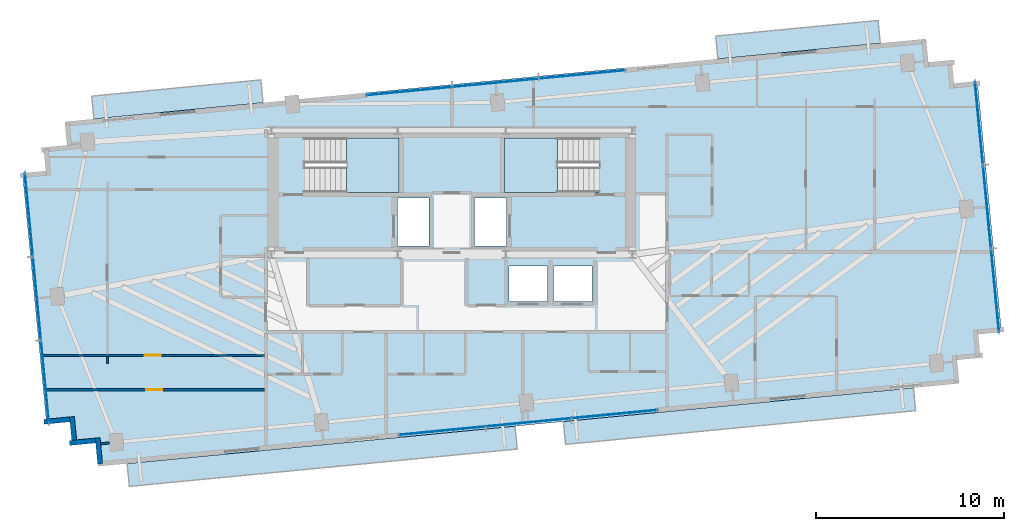
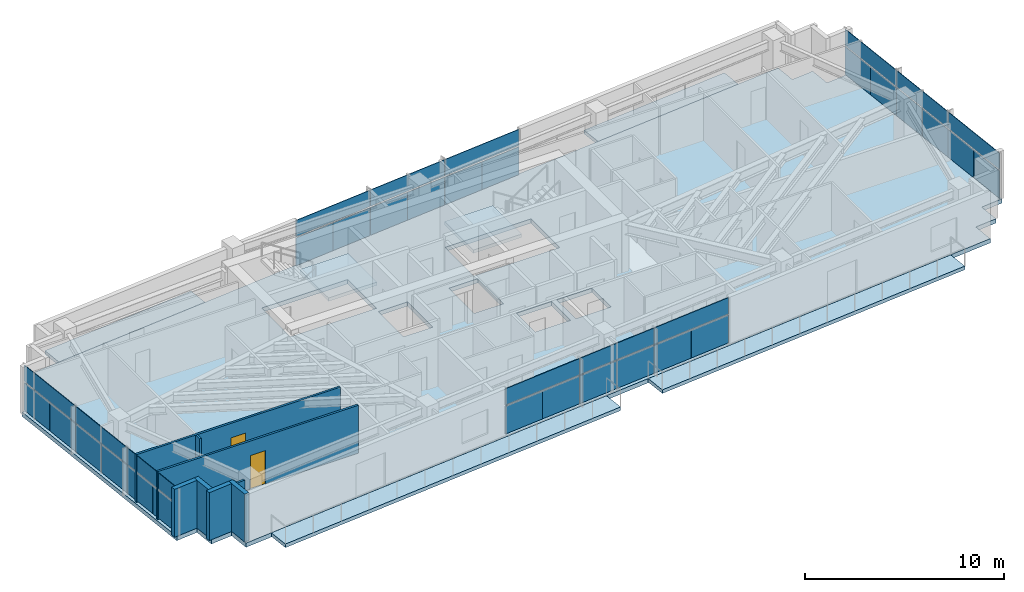
# One storey, part 12 of 18: 36 plates, 8 walls, 7 slabs, 2 doors, 2 openings, 6 elements without a shape of their own.
"""IFC4 building model written with IfcOpenShell, lengths in metres."""

from ifc_helpers import new_model, si_unit, direction, frame, frame_2d, origin, origin_2d, place, context, subcontext, project, spatial, polyline, rectangle, outline, extrude, source, transform, mapped, material, layer, layer_set, type_object, type_shapes, element, fill, aggregate, save


model = new_model("IFC4")

# Units and contexts
model_context = context("Model", 3, precision=1e-05, world=origin(), true_north=direction((0.0, 1.0)))
body_context = subcontext(model_context, "Body", "Model", "MODEL_VIEW")
ifc_project = project(units=[si_unit("LENGTHUNIT", "METRE"), si_unit("AREAUNIT", "SQUARE_METRE"), si_unit("VOLUMEUNIT", "CUBIC_METRE"), si_unit("PLANEANGLEUNIT", "RADIAN"), si_unit("MASSUNIT", "GRAM", prefix="KILO")], contexts=[model_context])

# Site, building, storey
site_placement = place(None, origin())
site = spatial("IfcSite", under=ifc_project, at=site_placement, CompositionType="ELEMENT")
building_placement = place(site_placement, origin())
building = spatial("IfcBuilding", under=site, at=building_placement, Name="Astriad Promenade Condominiums", CompositionType="ELEMENT")
storey_placement = place(building_placement, frame((0.0, 0.0, 189.0)))
storey = spatial("IfcBuildingStorey", under=building, at=storey_placement, Name="L54", CompositionType="ELEMENT", Elevation=189.0)

# Slab
ifc_material_1 = material(Name="Concrete C50/60", Category="concrete")
ifc_layer_1 = layer(ifc_material_1, 0.260009765625)
ifc_layer_set_1 = layer_set([ifc_layer_1], Name="Concrete C50/60")
slab_type_1 = type_object("IfcSlabType", Name="CONCRETE TOWER FLOOR SLAB 260", PredefinedType="FLOOR", material=ifc_layer_set_1)
slab_1_placement = place(storey_placement, frame((0.0, 0.0, -0.260009765625)))
element("IfcSlab", 1, at=slab_1_placement, inside=storey, type_object=slab_type_1, Name="Structural Floor Slab (L54)", PredefinedType="FLOOR", context=body_context, shape_type="SweptSolid", body=[
    extrude(outline(polyline([(17.187744140625, 6.137939453125), (62.975830078125, 10.546875), (62.856201171875, 11.791015625), (64.100341796875, 11.910888671875), (63.98046875, 13.155029296875), (65.224853515625, 13.27490234375), (63.9404296875, 26.61328125), (62.6962890625, 26.493408203125), (62.576416015625, 27.73779296875), (61.33203125, 27.617919921875), (61.21240234375, 28.862060546875), (15.424072265625, 24.453125), (15.5439453125, 23.208984375), (14.2998046875, 23.089111328125), (14.41943359375, 21.844970703125), (13.17529296875, 21.72509765625), (14.459716796875, 8.38671875), (15.703857421875, 8.506591796875), (15.823486328125, 7.26220703125), (17.06787109375, 7.382080078125), (17.187744140625, 6.137939453125)]), holes=[polyline([(28.175048828125, 20.699951171875), (33.175048828125, 20.699951171875), (33.175048828125, 23.60009765625), (28.175048828125, 23.60009765625), (28.175048828125, 20.699951171875)]), polyline([(38.824951171875, 20.699951171875), (43.824951171875, 20.699951171875), (43.824951171875, 23.60009765625), (38.824951171875, 23.60009765625), (38.824951171875, 20.699951171875)]), polyline([(33.10009765625, 17.85009765625), (34.800048828125, 17.85009765625), (34.800048828125, 20.39990234375), (33.10009765625, 20.39990234375), (33.10009765625, 17.85009765625)]), polyline([(37.199951171875, 17.85009765625), (38.89990234375, 17.85009765625), (38.89990234375, 20.39990234375), (37.199951171875, 20.39990234375), (37.199951171875, 17.85009765625)]), polyline([(39.050048828125, 14.89990234375), (41.10009765625, 14.89990234375), (41.10009765625, 16.800048828125), (39.050048828125, 16.800048828125), (39.050048828125, 14.89990234375)]), polyline([(41.39990234375, 14.89990234375), (43.449951171875, 14.89990234375), (43.449951171875, 16.800048828125), (41.39990234375, 16.800048828125), (41.39990234375, 14.89990234375)])]), origin(), (0.0, 0.0, 1.0), 0.260009765625),
])

# Stair, slab
stair_type = type_object("IfcStairType", Name="STR-CORE-1350", PredefinedType="HALF_TURN_STAIR", material=ifc_material_1)
stair_1_placement = place(storey_placement, origin())
stair_1 = element("IfcStair", 2, at=stair_1_placement, inside=storey, type_object=stair_type, Name="L54 Enclosed Core Exit Stair ST-1", PredefinedType="HALF_TURN_STAIR")
ifc_layer_2 = layer(ifc_material_1, 0.219970703125)
ifc_layer_set_2 = layer_set([ifc_layer_2], Name="Concrete C50/60")
slab_type_2 = type_object("IfcSlabType", Name="SLB-LANDING-220", PredefinedType="LANDING", material=ifc_layer_set_2)
slab_2_placement = place(storey_placement, frame((0.0, 0.0, 1.39990234375)))
slab_2 = element("IfcSlab", 3, at=slab_2_placement, type_object=slab_type_2, Name="ST-1 landing 1", PredefinedType="LANDING", context=body_context, shape_type="SweptSolid", body=[
    extrude(outline(polyline([(30.389892578125, 20.699951171875), (33.199951171875, 20.699951171875), (33.199951171875, 23.60009765625), (30.389892578125, 23.60009765625), (30.389892578125, 20.699951171875)])), origin(), (0.0, 0.0, 1.0), 0.2001953125),
])
aggregate(stair_1, [slab_2])

stair_2_placement = place(storey_placement, origin())
stair_2 = element("IfcStair", 4, at=stair_2_placement, inside=storey, type_object=stair_type, Name="L54 Enclosed Core Exit Stair ST-2", PredefinedType="HALF_TURN_STAIR")
slab_3_placement = place(storey_placement, frame((0.0, 0.0, 1.39990234375)))
slab_3 = element("IfcSlab", 5, at=slab_3_placement, type_object=slab_type_2, Name="ST-2 landing 1", PredefinedType="LANDING", context=body_context, shape_type="SweptSolid", body=[
    extrude(outline(polyline([(41.610107421875, 23.60009765625), (38.800048828125, 23.60009765625), (38.800048828125, 20.699951171875), (41.610107421875, 20.699951171875), (41.610107421875, 23.60009765625)])), origin(), (0.0, 0.0, 1.0), 0.2001953125),
])
aggregate(stair_2, [slab_3])

# Slabs
ifc_material_2 = material(Name="Precast concrete C50/60", Category="concrete")
ifc_layer_3 = layer(ifc_material_2, 0.219970703125)
ifc_layer_set_3 = layer_set([ifc_layer_3], Name="Precast concrete C50/60")
slab_type_3 = type_object("IfcSlabType", Name="WHITE PRECAST CONCRETE WAVE BALCONY SLAB 220", PredefinedType="FLOOR", material=ifc_layer_set_3)
slab_4_placement = place(storey_placement, frame((0.0, 0.0, -0.219970703125)))
element("IfcSlab", 6, at=slab_4_placement, inside=storey, type_object=slab_type_3, Name="White Precast Wave Balcony Slab BAL-L54-SW", PredefinedType="FLOOR", context=body_context, shape_type="SweptSolid", body=[
    extrude(outline(polyline([(39.47998046875, 7.058837890625), (18.857421875, 5.072998046875), (18.74072265625, 6.285400390625), (39.36328125, 8.271240234375), (39.47998046875, 7.058837890625)])), origin(), (0.0, 0.0, 1.0), 0.219970703125),
])
slab_5_placement = place(storey_placement, frame((0.0, 0.0, -0.219970703125)))
element("IfcSlab", 7, at=slab_5_placement, inside=storey, type_object=slab_type_3, Name="White Precast Wave Balcony Slab BAL-L54-SE", PredefinedType="FLOOR", context=body_context, shape_type="SweptSolid", body=[
    extrude(outline(polyline([(60.656982421875, 9.097900390625), (42.046142578125, 7.305908203125), (41.929443359375, 8.518310546875), (60.540283203125, 10.310302734375), (60.656982421875, 9.097900390625)])), origin(), (0.0, 0.0, 1.0), 0.219970703125),
])
slab_6_placement = place(storey_placement, frame((0.0, 0.0, -0.219970703125)))
element("IfcSlab", 8, at=slab_6_placement, inside=storey, type_object=slab_type_3, Name="White Precast Wave Balcony Slab BAL-L54-NW", PredefinedType="FLOOR", context=body_context, shape_type="SweptSolid", body=[
    extrude(outline(polyline([(16.860107421875, 25.817138671875), (25.848388671875, 26.6826171875), (25.965087890625, 25.47021484375), (16.976806640625, 24.604736328125), (16.860107421875, 25.817138671875)])), origin(), (0.0, 0.0, 1.0), 0.219970703125),
])
slab_7_placement = place(storey_placement, frame((0.0, 0.0, -0.219970703125)))
element("IfcSlab", 9, at=slab_7_placement, inside=storey, type_object=slab_type_3, Name="White Precast Wave Balcony Slab BAL-L54-NE", PredefinedType="FLOOR", context=body_context, shape_type="SweptSolid", body=[
    extrude(outline(polyline([(50.1435546875, 27.79638671875), (58.776611328125, 28.627685546875), (58.65966796875, 29.841796875), (50.026611328125, 29.0107421875), (50.1435546875, 27.79638671875)])), origin(), (0.0, 0.0, 1.0), 0.219970703125),
])

# Curtain wall, plates
ifc_material_3 = material(Name="Anodised aluminium Black Dark Glass Unitised", Category="aluminium")
curtain_wall_type = type_object("IfcCurtainWallType", Name="CW-B34-DARK", PredefinedType="USERDEFINED", material=ifc_material_3)
curtain_wall_1_placement = place(storey_placement, origin())
curtain_wall_1 = element("IfcCurtainWall", 10, at=curtain_wall_1_placement, inside=storey, type_object=curtain_wall_type, Name="CW-L54-W", ObjectType="UNITISED_CURTAIN_WALL", PredefinedType="USERDEFINED")
ifc_material_4 = material(Name="Dark Tinted Low-E Laminated Glass", Category="glass")
ifc_layer_4 = layer(ifc_material_4, 0.035888671875)
ifc_layer_set_4 = layer_set([ifc_layer_4], Name="Dark Tinted Low-E Laminated Glass")
plate_type = type_object("IfcPlateType", Name="PNL-DARK-GLASS-36", PredefinedType="CURTAIN_PANEL", material=ifc_layer_set_4)
shared_shape_1 = source(origin(), body_context, "Body", "SweptSolid", [
    extrude(rectangle(XDim=2.22119140625, YDim=0.035888671875, at=origin_2d()), origin(), (0.0, 0.0, 1.0), 1.702880859375),
])
plate_1_placement = place(storey_placement, frame((14.48193359375, 9.5107421875, 0.080078125), z_axis=(0.0, 0.0, 1.0), x_axis=(-0.09584575252, 0.995396198367, 0.0)))
plate_1 = element("IfcPlate", 11, at=plate_1_placement, type_object=plate_type, Name="CW-L54-W-PNL-00-VL", PredefinedType="CURTAIN_PANEL", context=body_context, shape_type="MappedRepresentation", body=[
    mapped(shared_shape_1, transform((0.0, 0.0, 0.0), scale=1.0)),
])
plate_2_placement = place(storey_placement, frame((14.267822265625, 11.73388671875, 0.080078125), z_axis=(0.0, 0.0, 1.0), x_axis=(-0.09584575252, 0.995396198367, 0.0)))
plate_2 = element("IfcPlate", 12, at=plate_2_placement, type_object=plate_type, Name="CW-L54-W-PNL-00-VR", PredefinedType="CURTAIN_PANEL", context=body_context, shape_type="MappedRepresentation", body=[
    mapped(shared_shape_1, transform((0.0, 0.0, 0.0), scale=1.0)),
])
plate_3_placement = place(storey_placement, frame((14.053955078125, 13.956787109375, 0.080078125), z_axis=(0.0, 0.0, 1.0), x_axis=(-0.09584575252, 0.995396198367, 0.0)))
plate_3 = element("IfcPlate", 13, at=plate_3_placement, type_object=plate_type, Name="CW-L54-W-PNL-01-VL", PredefinedType="CURTAIN_PANEL", context=body_context, shape_type="MappedRepresentation", body=[
    mapped(shared_shape_1, transform((0.0, 0.0, 0.0), scale=1.0)),
])
plate_4_placement = place(storey_placement, frame((13.839599609375, 16.179931640625, 0.080078125), z_axis=(0.0, 0.0, 1.0), x_axis=(-0.09584575252, 0.995396198367, 0.0)))
plate_4 = element("IfcPlate", 14, at=plate_4_placement, type_object=plate_type, Name="CW-L54-W-PNL-01-VR", PredefinedType="CURTAIN_PANEL", context=body_context, shape_type="MappedRepresentation", body=[
    mapped(shared_shape_1, transform((0.0, 0.0, 0.0), scale=1.0)),
])
plate_5_placement = place(storey_placement, frame((13.625732421875, 18.403076171875, 0.080078125), z_axis=(0.0, 0.0, 1.0), x_axis=(-0.09584575252, 0.995396198367, 0.0)))
plate_5 = element("IfcPlate", 15, at=plate_5_placement, type_object=plate_type, Name="CW-L54-W-PNL-02-VL", PredefinedType="CURTAIN_PANEL", context=body_context, shape_type="MappedRepresentation", body=[
    mapped(shared_shape_1, transform((0.0, 0.0, 0.0), scale=1.0)),
])
plate_6_placement = place(storey_placement, frame((13.41162109375, 20.626220703125, 0.080078125), z_axis=(0.0, 0.0, 1.0), x_axis=(-0.09584575252, 0.995396198367, 0.0)))
plate_6 = element("IfcPlate", 16, at=plate_6_placement, type_object=plate_type, Name="CW-L54-W-PNL-02-VR", PredefinedType="CURTAIN_PANEL", context=body_context, shape_type="MappedRepresentation", body=[
    mapped(shared_shape_1, transform((0.0, 0.0, 0.0), scale=1.0)),
])

curtain_wall_2_placement = place(storey_placement, origin())
curtain_wall_2 = element("IfcCurtainWall", 17, at=curtain_wall_2_placement, inside=storey, type_object=curtain_wall_type, Name="CW-L54-E", ObjectType="UNITISED_CURTAIN_WALL", PredefinedType="USERDEFINED")
plate_7_placement = place(storey_placement, frame((63.91796875, 25.4892578125, 0.080078125), z_axis=(0.0, 0.0, 1.0), x_axis=(0.09584575252, -0.995396198367, 0.0)))
plate_7 = element("IfcPlate", 18, at=plate_7_placement, type_object=plate_type, Name="CW-L54-E-PNL-00-VL", PredefinedType="CURTAIN_PANEL", context=body_context, shape_type="MappedRepresentation", body=[
    mapped(shared_shape_1, transform((0.0, 0.0, 0.0), scale=1.0)),
])
plate_8_placement = place(storey_placement, frame((64.132080078125, 23.26611328125, 0.080078125), z_axis=(0.0, 0.0, 1.0), x_axis=(0.09584575252, -0.995396198367, 0.0)))
plate_8 = element("IfcPlate", 19, at=plate_8_placement, type_object=plate_type, Name="CW-L54-E-PNL-00-VR", PredefinedType="CURTAIN_PANEL", context=body_context, shape_type="MappedRepresentation", body=[
    mapped(shared_shape_1, transform((0.0, 0.0, 0.0), scale=1.0)),
])
plate_9_placement = place(storey_placement, frame((64.34619140625, 21.043212890625, 0.080078125), z_axis=(0.0, 0.0, 1.0), x_axis=(0.09584575252, -0.995396198367, 0.0)))
plate_9 = element("IfcPlate", 20, at=plate_9_placement, type_object=plate_type, Name="CW-L54-E-PNL-01-VL", PredefinedType="CURTAIN_PANEL", context=body_context, shape_type="MappedRepresentation", body=[
    mapped(shared_shape_1, transform((0.0, 0.0, 0.0), scale=1.0)),
])
plate_10_placement = place(storey_placement, frame((64.560302734375, 18.820068359375, 0.080078125), z_axis=(0.0, 0.0, 1.0), x_axis=(0.09584575252, -0.995396198367, 0.0)))
plate_10 = element("IfcPlate", 21, at=plate_10_placement, type_object=plate_type, Name="CW-L54-E-PNL-01-VR", PredefinedType="CURTAIN_PANEL", context=body_context, shape_type="MappedRepresentation", body=[
    mapped(shared_shape_1, transform((0.0, 0.0, 0.0), scale=1.0)),
])
plate_11_placement = place(storey_placement, frame((64.7744140625, 16.596923828125, 0.080078125), z_axis=(0.0, 0.0, 1.0), x_axis=(0.09584575252, -0.995396198367, 0.0)))
plate_11 = element("IfcPlate", 22, at=plate_11_placement, type_object=plate_type, Name="CW-L54-E-PNL-02-VL", PredefinedType="CURTAIN_PANEL", context=body_context, shape_type="MappedRepresentation", body=[
    mapped(shared_shape_1, transform((0.0, 0.0, 0.0), scale=1.0)),
])
plate_12_placement = place(storey_placement, frame((64.98828125, 14.373779296875, 0.080078125), z_axis=(0.0, 0.0, 1.0), x_axis=(0.09584575252, -0.995396198367, 0.0)))
plate_12 = element("IfcPlate", 23, at=plate_12_placement, type_object=plate_type, Name="CW-L54-E-PNL-02-VR", PredefinedType="CURTAIN_PANEL", context=body_context, shape_type="MappedRepresentation", body=[
    mapped(shared_shape_1, transform((0.0, 0.0, 0.0), scale=1.0)),
])

# Plate
shared_shape_2 = source(origin(), body_context, "Body", "SweptSolid", [
    extrude(rectangle(XDim=4.45458984375, YDim=0.035888671875, at=origin_2d()), origin(), (0.0, 0.0, 1.0), 0.997314453125),
])
plate_13_placement = place(storey_placement, frame((14.375, 10.622314453125, 1.86279296875), z_axis=(0.0, 0.0, 1.0), x_axis=(-0.09584575252, 0.995396198367, 0.0)))
plate_13 = element("IfcPlate", 24, at=plate_13_placement, type_object=plate_type, Name="CW-L54-W-PNL-00-S", PredefinedType="CURTAIN_PANEL", context=body_context, shape_type="MappedRepresentation", body=[
    mapped(shared_shape_2, transform((0.0, 0.0, 0.0), scale=1.0)),
])

plate_14_placement = place(storey_placement, frame((13.94677734375, 15.068359375, 1.86279296875), z_axis=(0.0, 0.0, 1.0), x_axis=(-0.09584575252, 0.995396198367, 0.0)))
plate_14 = element("IfcPlate", 25, at=plate_14_placement, type_object=plate_type, Name="CW-L54-W-PNL-01-S", PredefinedType="CURTAIN_PANEL", context=body_context, shape_type="MappedRepresentation", body=[
    mapped(shared_shape_2, transform((0.0, 0.0, 0.0), scale=1.0)),
])

plate_15_placement = place(storey_placement, frame((13.518798828125, 19.514404296875, 1.86279296875), z_axis=(0.0, 0.0, 1.0), x_axis=(-0.09584575252, 0.995396198367, 0.0)))
plate_15 = element("IfcPlate", 26, at=plate_15_placement, type_object=plate_type, Name="CW-L54-W-PNL-02-S", PredefinedType="CURTAIN_PANEL", context=body_context, shape_type="MappedRepresentation", body=[
    mapped(shared_shape_2, transform((0.0, 0.0, 0.0), scale=1.0)),
])

aggregate(curtain_wall_1, [plate_1, plate_2, plate_13, plate_3, plate_4, plate_14, plate_5, plate_6, plate_15])

plate_16_placement = place(storey_placement, frame((64.02490234375, 24.377685546875, 1.86279296875), z_axis=(0.0, 0.0, 1.0), x_axis=(0.09584575252, -0.995396198367, 0.0)))
plate_16 = element("IfcPlate", 27, at=plate_16_placement, type_object=plate_type, Name="CW-L54-E-PNL-00-S", PredefinedType="CURTAIN_PANEL", context=body_context, shape_type="MappedRepresentation", body=[
    mapped(shared_shape_2, transform((0.0, 0.0, 0.0), scale=1.0)),
])

plate_17_placement = place(storey_placement, frame((64.453125, 19.931640625, 1.86279296875), z_axis=(0.0, 0.0, 1.0), x_axis=(0.09584575252, -0.995396198367, 0.0)))
plate_17 = element("IfcPlate", 28, at=plate_17_placement, type_object=plate_type, Name="CW-L54-E-PNL-01-S", PredefinedType="CURTAIN_PANEL", context=body_context, shape_type="MappedRepresentation", body=[
    mapped(shared_shape_2, transform((0.0, 0.0, 0.0), scale=1.0)),
])

plate_18_placement = place(storey_placement, frame((64.88134765625, 15.485595703125, 1.86279296875), z_axis=(0.0, 0.0, 1.0), x_axis=(0.09584575252, -0.995396198367, 0.0)))
plate_18 = element("IfcPlate", 29, at=plate_18_placement, type_object=plate_type, Name="CW-L54-E-PNL-02-S", PredefinedType="CURTAIN_PANEL", context=body_context, shape_type="MappedRepresentation", body=[
    mapped(shared_shape_2, transform((0.0, 0.0, 0.0), scale=1.0)),
])

aggregate(curtain_wall_2, [plate_7, plate_8, plate_16, plate_9, plate_10, plate_17, plate_11, plate_12, plate_18])

# Curtain wall, plates
curtain_wall_3_placement = place(storey_placement, origin())
curtain_wall_3 = element("IfcCurtainWall", 30, at=curtain_wall_3_placement, inside=storey, type_object=curtain_wall_type, Name="CW-L54-N", ObjectType="UNITISED_CURTAIN_WALL", PredefinedType="USERDEFINED")
shared_shape_3 = source(origin(), body_context, "Body", "SweptSolid", [
    extrude(rectangle(XDim=2.2880859375, YDim=0.035888671875, at=origin_2d()), origin(), (0.0, 0.0, 1.0), 1.702880859375),
])
plate_19_placement = place(storey_placement, frame((32.607177734375, 25.97705078125, 0.080078125), z_axis=(0.0, 0.0, 1.0), x_axis=(0.995396198367, 0.09584575252, 0.0)))
plate_19 = element("IfcPlate", 31, at=plate_19_placement, type_object=plate_type, Name="CW-L54-N-PNL-00-VL", PredefinedType="CURTAIN_PANEL", context=body_context, shape_type="MappedRepresentation", body=[
    mapped(shared_shape_3, transform((0.0, 0.0, 0.0), scale=1.0)),
])
plate_20_placement = place(storey_placement, frame((34.896484375, 26.197509765625, 0.080078125), z_axis=(0.0, 0.0, 1.0), x_axis=(0.995396198367, 0.09584575252, 0.0)))
plate_20 = element("IfcPlate", 32, at=plate_20_placement, type_object=plate_type, Name="CW-L54-N-PNL-00-VR", PredefinedType="CURTAIN_PANEL", context=body_context, shape_type="MappedRepresentation", body=[
    mapped(shared_shape_3, transform((0.0, 0.0, 0.0), scale=1.0)),
])
plate_21_placement = place(storey_placement, frame((37.18603515625, 26.41796875, 0.080078125), z_axis=(0.0, 0.0, 1.0), x_axis=(0.995396198367, 0.09584575252, 0.0)))
plate_21 = element("IfcPlate", 33, at=plate_21_placement, type_object=plate_type, Name="CW-L54-N-PNL-01-VL", PredefinedType="CURTAIN_PANEL", context=body_context, shape_type="MappedRepresentation", body=[
    mapped(shared_shape_3, transform((0.0, 0.0, 0.0), scale=1.0)),
])
plate_22_placement = place(storey_placement, frame((39.475341796875, 26.638427734375, 0.080078125), z_axis=(0.0, 0.0, 1.0), x_axis=(0.995396198367, 0.09584575252, 0.0)))
plate_22 = element("IfcPlate", 34, at=plate_22_placement, type_object=plate_type, Name="CW-L54-N-PNL-01-VR", PredefinedType="CURTAIN_PANEL", context=body_context, shape_type="MappedRepresentation", body=[
    mapped(shared_shape_3, transform((0.0, 0.0, 0.0), scale=1.0)),
])
plate_23_placement = place(storey_placement, frame((41.764892578125, 26.85888671875, 0.080078125), z_axis=(0.0, 0.0, 1.0), x_axis=(0.995396198367, 0.09584575252, 0.0)))
plate_23 = element("IfcPlate", 35, at=plate_23_placement, type_object=plate_type, Name="CW-L54-N-PNL-02-VL", PredefinedType="CURTAIN_PANEL", context=body_context, shape_type="MappedRepresentation", body=[
    mapped(shared_shape_3, transform((0.0, 0.0, 0.0), scale=1.0)),
])
plate_24_placement = place(storey_placement, frame((44.05419921875, 27.079345703125, 0.080078125), z_axis=(0.0, 0.0, 1.0), x_axis=(0.995396198367, 0.09584575252, 0.0)))
plate_24 = element("IfcPlate", 36, at=plate_24_placement, type_object=plate_type, Name="CW-L54-N-PNL-02-VR", PredefinedType="CURTAIN_PANEL", context=body_context, shape_type="MappedRepresentation", body=[
    mapped(shared_shape_3, transform((0.0, 0.0, 0.0), scale=1.0)),
])

curtain_wall_4_placement = place(storey_placement, origin())
curtain_wall_4 = element("IfcCurtainWall", 37, at=curtain_wall_4_placement, inside=storey, type_object=curtain_wall_type, Name="CW-L54-S", ObjectType="UNITISED_CURTAIN_WALL", PredefinedType="USERDEFINED")
plate_25_placement = place(storey_placement, frame((45.792724609375, 9.02294921875, 0.080078125), z_axis=(0.0, 0.0, 1.0), x_axis=(-0.995396198367, -0.09584575252, 0.0)))
plate_25 = element("IfcPlate", 38, at=plate_25_placement, type_object=plate_type, Name="CW-L54-S-PNL-00-VL", PredefinedType="CURTAIN_PANEL", context=body_context, shape_type="MappedRepresentation", body=[
    mapped(shared_shape_3, transform((0.0, 0.0, 0.0), scale=1.0)),
])
plate_26_placement = place(storey_placement, frame((43.50341796875, 8.802490234375, 0.080078125), z_axis=(0.0, 0.0, 1.0), x_axis=(-0.995396198367, -0.09584575252, 0.0)))
plate_26 = element("IfcPlate", 39, at=plate_26_placement, type_object=plate_type, Name="CW-L54-S-PNL-00-VR", PredefinedType="CURTAIN_PANEL", context=body_context, shape_type="MappedRepresentation", body=[
    mapped(shared_shape_3, transform((0.0, 0.0, 0.0), scale=1.0)),
])
plate_27_placement = place(storey_placement, frame((41.214111328125, 8.58203125, 0.080078125), z_axis=(0.0, 0.0, 1.0), x_axis=(-0.995396198367, -0.09584575252, 0.0)))
plate_27 = element("IfcPlate", 40, at=plate_27_placement, type_object=plate_type, Name="CW-L54-S-PNL-01-VL", PredefinedType="CURTAIN_PANEL", context=body_context, shape_type="MappedRepresentation", body=[
    mapped(shared_shape_3, transform((0.0, 0.0, 0.0), scale=1.0)),
])
plate_28_placement = place(storey_placement, frame((38.924560546875, 8.361572265625, 0.080078125), z_axis=(0.0, 0.0, 1.0), x_axis=(-0.995396198367, -0.09584575252, 0.0)))
plate_28 = element("IfcPlate", 41, at=plate_28_placement, type_object=plate_type, Name="CW-L54-S-PNL-01-VR", PredefinedType="CURTAIN_PANEL", context=body_context, shape_type="MappedRepresentation", body=[
    mapped(shared_shape_3, transform((0.0, 0.0, 0.0), scale=1.0)),
])
plate_29_placement = place(storey_placement, frame((36.63525390625, 8.14111328125, 0.080078125), z_axis=(0.0, 0.0, 1.0), x_axis=(-0.995396198367, -0.09584575252, 0.0)))
plate_29 = element("IfcPlate", 42, at=plate_29_placement, type_object=plate_type, Name="CW-L54-S-PNL-02-VL", PredefinedType="CURTAIN_PANEL", context=body_context, shape_type="MappedRepresentation", body=[
    mapped(shared_shape_3, transform((0.0, 0.0, 0.0), scale=1.0)),
])
plate_30_placement = place(storey_placement, frame((34.345703125, 7.920654296875, 0.080078125), z_axis=(0.0, 0.0, 1.0), x_axis=(-0.995396198367, -0.09584575252, 0.0)))
plate_30 = element("IfcPlate", 43, at=plate_30_placement, type_object=plate_type, Name="CW-L54-S-PNL-02-VR", PredefinedType="CURTAIN_PANEL", context=body_context, shape_type="MappedRepresentation", body=[
    mapped(shared_shape_3, transform((0.0, 0.0, 0.0), scale=1.0)),
])

# Plate
shared_shape_4 = source(origin(), body_context, "Body", "SweptSolid", [
    extrude(rectangle(XDim=4.587890625, YDim=0.035888671875, at=origin_2d()), origin(), (0.0, 0.0, 1.0), 0.997314453125),
])
type_shapes(plate_type, [shared_shape_1, shared_shape_2, shared_shape_3, shared_shape_4])
plate_31_placement = place(storey_placement, frame((33.751953125, 26.08740234375, 1.86279296875), z_axis=(0.0, 0.0, 1.0), x_axis=(0.995396198367, 0.09584575252, 0.0)))
plate_31 = element("IfcPlate", 44, at=plate_31_placement, type_object=plate_type, Name="CW-L54-N-PNL-00-S", PredefinedType="CURTAIN_PANEL", context=body_context, shape_type="MappedRepresentation", body=[
    mapped(shared_shape_4, transform((0.0, 0.0, 0.0), scale=1.0)),
])

plate_32_placement = place(storey_placement, frame((38.330810546875, 26.5283203125, 1.86279296875), z_axis=(0.0, 0.0, 1.0), x_axis=(0.995396198367, 0.09584575252, 0.0)))
plate_32 = element("IfcPlate", 45, at=plate_32_placement, type_object=plate_type, Name="CW-L54-N-PNL-01-S", PredefinedType="CURTAIN_PANEL", context=body_context, shape_type="MappedRepresentation", body=[
    mapped(shared_shape_4, transform((0.0, 0.0, 0.0), scale=1.0)),
])

plate_33_placement = place(storey_placement, frame((42.909423828125, 26.968994140625, 1.86279296875), z_axis=(0.0, 0.0, 1.0), x_axis=(0.995396198367, 0.09584575252, 0.0)))
plate_33 = element("IfcPlate", 46, at=plate_33_placement, type_object=plate_type, Name="CW-L54-N-PNL-02-S", PredefinedType="CURTAIN_PANEL", context=body_context, shape_type="MappedRepresentation", body=[
    mapped(shared_shape_4, transform((0.0, 0.0, 0.0), scale=1.0)),
])

aggregate(curtain_wall_3, [plate_19, plate_20, plate_31, plate_21, plate_22, plate_32, plate_23, plate_24, plate_33])

plate_34_placement = place(storey_placement, frame((44.648193359375, 8.91259765625, 1.86279296875), z_axis=(0.0, 0.0, 1.0), x_axis=(-0.995396198367, -0.09584575252, 0.0)))
plate_34 = element("IfcPlate", 47, at=plate_34_placement, type_object=plate_type, Name="CW-L54-S-PNL-00-S", PredefinedType="CURTAIN_PANEL", context=body_context, shape_type="MappedRepresentation", body=[
    mapped(shared_shape_4, transform((0.0, 0.0, 0.0), scale=1.0)),
])

plate_35_placement = place(storey_placement, frame((40.0693359375, 8.4716796875, 1.86279296875), z_axis=(0.0, 0.0, 1.0), x_axis=(-0.995396198367, -0.09584575252, 0.0)))
plate_35 = element("IfcPlate", 48, at=plate_35_placement, type_object=plate_type, Name="CW-L54-S-PNL-01-S", PredefinedType="CURTAIN_PANEL", context=body_context, shape_type="MappedRepresentation", body=[
    mapped(shared_shape_4, transform((0.0, 0.0, 0.0), scale=1.0)),
])

plate_36_placement = place(storey_placement, frame((35.490478515625, 8.031005859375, 1.86279296875), z_axis=(0.0, 0.0, 1.0), x_axis=(-0.995396198367, -0.09584575252, 0.0)))
plate_36 = element("IfcPlate", 49, at=plate_36_placement, type_object=plate_type, Name="CW-L54-S-PNL-02-S", PredefinedType="CURTAIN_PANEL", context=body_context, shape_type="MappedRepresentation", body=[
    mapped(shared_shape_4, transform((0.0, 0.0, 0.0), scale=1.0)),
])

aggregate(curtain_wall_4, [plate_25, plate_26, plate_34, plate_27, plate_28, plate_35, plate_29, plate_30, plate_36])

# Walls
ifc_layer_5 = layer(ifc_material_2, 0.260009765625)
ifc_layer_set_5 = layer_set([ifc_layer_5], Name="Precast concrete C50/60")
wall_type_1 = type_object("IfcWallType", Name="WALL-EXT-TWR-260", PredefinedType="STANDARD", material=ifc_layer_set_5)
wall_1_placement = place(storey_placement, frame((17.0703125, 7.512939453125, 0.0), z_axis=(0.0, 0.0, 1.0), x_axis=(-0.995391056452, -0.09589913835, 0.0)))
element("IfcWall", 50, at=wall_1_placement, inside=storey, type_object=wall_type_1, Name="W-SER-L54-00", PredefinedType="STANDARD", context=body_context, shape_type="SweptSolid", body=[
    extrude(rectangle(XDim=1.39501953125, YDim=0.260009765625, at=frame_2d((0.697509765625, 0.0))), origin(), (0.0, 0.0, 1.0), 2.93994140625),
])
wall_2_placement = place(storey_placement, frame((15.94189453125, 7.389404296875, 0.0), z_axis=(0.0, 0.0, 1.0), x_axis=(-0.095742423056, 0.99540614245, 0.0)))
element("IfcWall", 51, at=wall_2_placement, inside=storey, type_object=wall_type_1, Name="W-SER-L54-01", PredefinedType="STANDARD", context=body_context, shape_type="SweptSolid", body=[
    extrude(rectangle(XDim=1.394775390625, YDim=0.260009765625, at=frame_2d((0.697265625, 0.0))), origin(), (0.0, 0.0, 1.0), 2.93994140625),
])
wall_3_placement = place(storey_placement, frame((15.706298828125, 8.637451171875, 0.0), z_axis=(0.0, 0.0, 1.0), x_axis=(-0.995391056452, -0.09589913835, 0.0)))
element("IfcWall", 52, at=wall_3_placement, inside=storey, type_object=wall_type_1, Name="W-SER-L54-02", PredefinedType="STANDARD", context=body_context, shape_type="SweptSolid", body=[
    extrude(rectangle(XDim=1.39501953125, YDim=0.260009765625, at=frame_2d((0.697509765625, 0.0))), origin(), (0.0, 0.0, 1.0), 2.93994140625),
])
wall_4_placement = place(storey_placement, frame((17.30615234375, 6.264892578125, 0.0), z_axis=(0.0, 0.0, 1.0), x_axis=(-0.095915846097, 0.995389446633, 0.0)))
element("IfcWall", 53, at=wall_4_placement, inside=storey, type_object=wall_type_1, Name="W-SER-L54-19", PredefinedType="STANDARD", context=body_context, shape_type="SweptSolid", body=[
    extrude(rectangle(XDim=1.394775390625, YDim=0.260009765625, at=frame_2d((0.697265625, 0.0))), origin(), (0.0, 0.0, 1.0), 2.93994140625),
])

# Wall, opening, door
ifc_material_5 = material(Name="Acoustic Metal-Stud Gypsum Partition")
ifc_layer_6 = layer(ifc_material_5, 0.1201171875)
ifc_layer_set_6 = layer_set([ifc_layer_6], Name="Acoustic Metal-Stud Gypsum Partition")
wall_type_2 = type_object("IfcWallType", Name="WALL-PART-120", PredefinedType="PARTITIONING", material=ifc_layer_set_6)
wall_5_placement = place(storey_placement, frame((14.36474609375, 10.2060546875, 0.0), z_axis=(0.0, 0.0, 1.0), x_axis=(1.0, 0.0, 0.0)))
wall_5 = element("IfcWall", 54, at=wall_5_placement, inside=storey, type_object=wall_type_2, Name="PT-L54-W1-WDS1", PredefinedType="PARTITIONING", context=body_context, shape_type="SweptSolid", body=[
    extrude(rectangle(XDim=11.67333984375, YDim=0.1201171875, at=frame_2d((5.836669921875, 0.0))), origin(), (0.0, 0.0, 1.0), 2.93994140625),
])
opening_1_placement = place(wall_5_placement, frame((5.4052734375, 0.0, 0.0)))
opening_1 = element("IfcOpeningElement", 55, at=opening_1_placement, cuts=wall_5, Name="Opening D-INT-085", PredefinedType="OPENING", context=body_context, shape_type="SweptSolid", body=[
    extrude(rectangle(XDim=0.85009765625, YDim=2.050048828125, at=frame_2d((0.425048828125, 1.02490234375))), frame((0.0, 0.070068359375, 0.0), z_axis=(0.0, -1.0, 0.0), x_axis=(1.0, 0.0, 0.0)), (0.0, 0.0, 1.0), 0.14013671875),
])
ifc_material_6 = material(Name="Painted Solid-Core Timber Room Door", Category="wood")
door_type = type_object("IfcDoorType", Name="D-INT-085", OperationType="NOTDEFINED", PredefinedType="DOOR", material=ifc_material_6)
shared_shape_5 = source(origin(), body_context, "Body", "SweptSolid", [
    extrude(rectangle(XDim=0.85009765625, YDim=2.050048828125, at=frame_2d((0.425048828125, 1.02490234375))), frame((0.0, 0.02490234375, 0.0), z_axis=(0.0, -1.0, 0.0), x_axis=(1.0, 0.0, 0.0)), (0.0, 0.0, 1.0), 0.050048828125),
])
type_shapes(door_type, [shared_shape_5])
door_1_placement = place(opening_1_placement, origin())
door_1 = element("IfcDoor", 56, at=door_1_placement, inside=storey, type_object=door_type, Name="D-WDS1-L54-W1", OperationType="SINGLE_SWING_RIGHT", OverallHeight=2.050048828125, OverallWidth=0.85009765625, PredefinedType="DOOR", context=body_context, shape_type="MappedRepresentation", body=[
    mapped(shared_shape_5, transform((0.0, 0.0, 0.0), scale=1.0)),
])
fill(opening_1, door_1)

wall_6_placement = place(storey_placement, frame((14.188720703125, 12.033935546875, 0.0), z_axis=(0.0, 0.0, 1.0), x_axis=(1.0, 0.0, 0.0)))
wall_6 = element("IfcWall", 57, at=wall_6_placement, inside=storey, type_object=wall_type_2, Name="PT-L54-W1-WDS3", PredefinedType="PARTITIONING", context=body_context, shape_type="SweptSolid", body=[
    extrude(rectangle(XDim=11.849365234375, YDim=0.1201171875, at=frame_2d((5.9248046875, 0.0))), origin(), (0.0, 0.0, 1.0), 2.93994140625),
])
opening_2_placement = place(wall_6_placement, frame((5.4931640625, 0.0, 0.0)))
opening_2 = element("IfcOpeningElement", 58, at=opening_2_placement, cuts=wall_6, Name="Opening D-INT-085", PredefinedType="OPENING", context=body_context, shape_type="SweptSolid", body=[
    extrude(rectangle(XDim=0.85009765625, YDim=2.050048828125, at=frame_2d((0.425048828125, 1.02490234375))), frame((0.0, 0.070068359375, 0.0), z_axis=(0.0, -1.0, 0.0), x_axis=(1.0, 0.0, 0.0)), (0.0, 0.0, 1.0), 0.14013671875),
])
door_2_placement = place(opening_2_placement, origin())
door_2 = element("IfcDoor", 59, at=door_2_placement, inside=storey, type_object=door_type, Name="D-WDS3-L54-W1", OperationType="SINGLE_SWING_RIGHT", OverallHeight=2.050048828125, OverallWidth=0.85009765625, PredefinedType="DOOR", context=body_context, shape_type="MappedRepresentation", body=[
    mapped(shared_shape_5, transform((0.0, 0.0, 0.0), scale=1.0)),
])
fill(opening_2, door_2)

# Walls
wall_7_placement = place(storey_placement, frame((17.69091796875, 11.593994140625, 0.0), z_axis=(0.0, 0.0, 1.0), x_axis=(0.0, 1.0, 0.0)))
element("IfcWall", 60, at=wall_7_placement, inside=storey, type_object=wall_type_2, Name="PT-L54-W1-WDV5", PredefinedType="PARTITIONING", context=body_context, shape_type="SweptSolid", body=[
    extrude(rectangle(XDim=0.3779296875, YDim=0.1201171875, at=frame_2d((0.18896484375, 0.0))), origin(), (0.0, 0.0, 1.0), 2.93994140625),
])
wall_8_placement = place(storey_placement, frame((17.791259765625, 7.381591796875, 0.0), z_axis=(0.0, 0.0, 1.0), x_axis=(-0.995384576284, -0.09596637586, 0.0)))
element("IfcWall", 61, at=wall_8_placement, inside=storey, type_object=wall_type_2, Name="PT-PIL-L54-PC01-8", PredefinedType="PARTITIONING", context=body_context, shape_type="SweptSolid", body=[
    extrude(rectangle(XDim=0.4580078125, YDim=0.1201171875, at=frame_2d((0.22900390625, 0.0))), origin(), (0.0, 0.0, 1.0), 2.93994140625),
])

save(model, "model.ifc")
